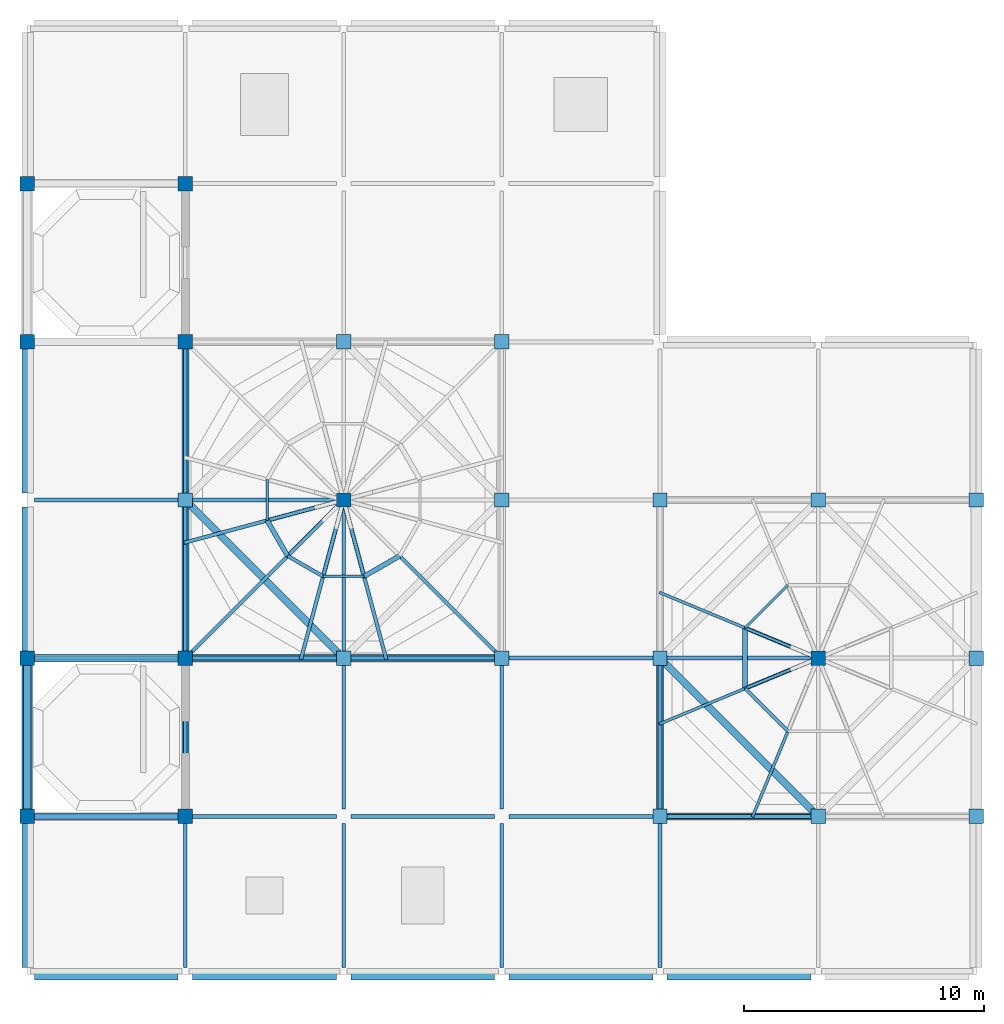
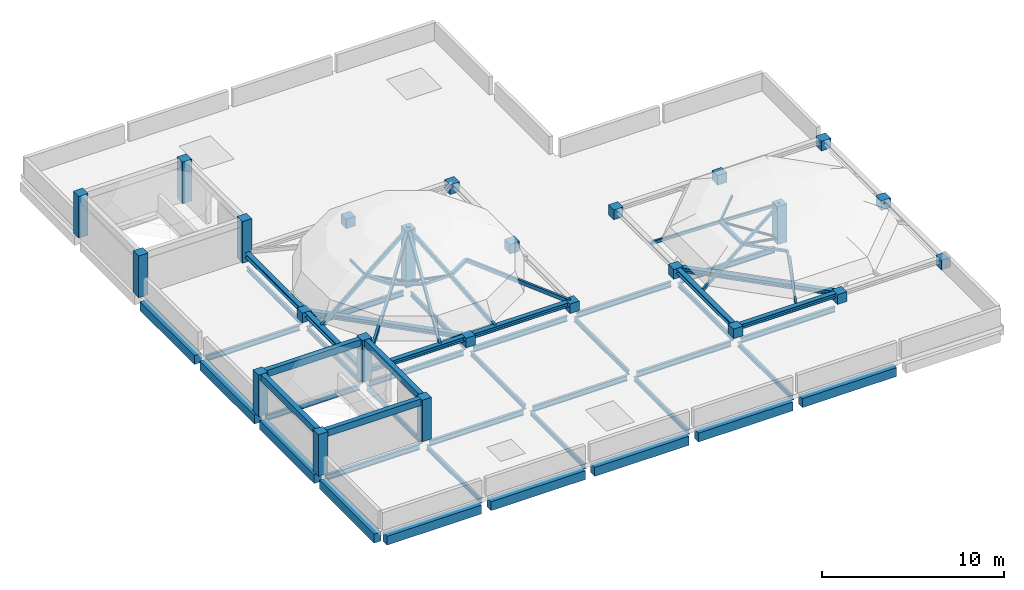
# One storey, part 1 of 5: 44 beams, 28 members, 24 columns.
"""IFC4 building model written with IfcOpenShell, lengths in metres."""

from ifc_helpers import new_model, si_unit, direction, frame, origin, origin_2d, place, context, subcontext, project, spatial, rectangle, hollow_rectangle, hollow_circle, i_section, extrude, material, material_profile, profile_set, type_object, element, save


model = new_model("IFC4")

# Units and contexts
model_context = context("Model", 3, precision=1e-05, world=origin(), true_north=direction((0.0, 1.0)))
body_context = subcontext(model_context, "Body", "Model", "MODEL_VIEW")
ifc_project = project(units=[si_unit("LENGTHUNIT", "METRE"), si_unit("AREAUNIT", "SQUARE_METRE"), si_unit("VOLUMEUNIT", "CUBIC_METRE"), si_unit("PLANEANGLEUNIT", "RADIAN"), si_unit("MASSUNIT", "GRAM", prefix="KILO")], contexts=[model_context])

# Site, building, storey
site_placement = place(None, origin())
site = spatial("IfcSite", under=ifc_project, at=site_placement, CompositionType="ELEMENT")
building_placement = place(site_placement, origin())
building = spatial("IfcBuilding", under=site, at=building_placement, Name="Rusizi Kubbe Research Institute", CompositionType="ELEMENT")
storey_placement = place(building_placement, frame((0.0, 0.0, 73.199951171875)))
storey = spatial("IfcBuildingStorey", under=building, at=storey_placement, Name="ROOF", CompositionType="ELEMENT", Elevation=73.199951171875)

# Columns
ifc_material_1 = material(Name="Concrete C40/50", Category="concrete")
ifc_material_profile_1 = material_profile(ifc_material_1, rectangle(XDim=0.60009765625, YDim=0.60009765625, at=origin_2d()), Name="RC600x600")
ifc_profile_set_1 = profile_set([ifc_material_profile_1], Name="Concrete C40/50")
column_type = type_object("IfcColumnType", Name="COL-600", PredefinedType="COLUMN", material=ifc_profile_set_1)
for number, where, z_axis, x_axis, name in (
    (1, (0.0, 6.60009765625, 0.0), (0.0, 0.0, 1.0), (1.0, 0.0, 0.0), "Roof Stair Headhouse Column 1B"),
    (2, (6.60009765625, 6.60009765625, 0.0), (0.0, 0.0, 1.0), (1.0, 0.0, 0.0), "Roof Stair Headhouse Column 2B"),
    (3, (6.60009765625, 13.199951171875, 0.0), (0.0, 0.0, 1.0), (1.0, 0.0, 0.0), "Roof Stair Headhouse Column 2C"),
    (4, (0.0, 13.199951171875, 0.0), (0.0, 0.0, 1.0), (1.0, 0.0, 0.0), "Roof Stair Headhouse Column 1C"),
    (5, (0.0, 26.39990234375, 0.0), (0.0, 0.0, 1.0), (1.0, 0.0, 0.0), "Roof Stair Headhouse Column 1E"),
    (6, (6.60009765625, 26.39990234375, 0.0), (0.0, 0.0, 1.0), (1.0, 0.0, 0.0), "Roof Stair Headhouse Column 2E"),
    (7, (6.60009765625, 33.0, 0.0), (0.0, 0.0, 1.0), (1.0, 0.0, 0.0), "Roof Stair Headhouse Column 2F"),
    (8, (0.0, 33.0, 0.0), (0.0, 0.0, 1.0), (1.0, 0.0, 0.0), "Roof Stair Headhouse Column 1F"),
):
    element("IfcColumn", number, at=place(storey_placement, frame(where, z_axis=z_axis, x_axis=x_axis)), inside=storey, type_object=column_type, Name=name, PredefinedType="COLUMN", context=body_context, shape_type="SweptSolid", body=[
        extrude(rectangle(XDim=0.60009765625, YDim=0.60009765625, at=origin_2d()), origin(), (0.0, 0.0, 1.0), 2.800048828125),
    ])
for number, where, z_axis, x_axis, name in (
    (9, (13.199951171875, 13.199951171875, 0.0), (0.0, 0.0, 1.0), (1.0, 0.0, 0.0), "Kubbe Drum Pedestal Column DOME-CRN1-02"),
    (10, (19.800048828125, 13.199951171875, 0.0), (0.0, 0.0, 1.0), (1.0, 0.0, 0.0), "Kubbe Drum Pedestal Column DOME-CRN1-03"),
    (11, (19.800048828125, 19.800048828125, 0.0), (0.0, 0.0, 1.0), (1.0, 0.0, 0.0), "Kubbe Drum Pedestal Column DOME-CRN1-04"),
    (12, (19.800048828125, 26.39990234375, 0.0), (0.0, 0.0, 1.0), (1.0, 0.0, 0.0), "Kubbe Drum Pedestal Column DOME-CRN1-05"),
    (13, (13.199951171875, 26.39990234375, 0.0), (0.0, 0.0, 1.0), (1.0, 0.0, 0.0), "Kubbe Drum Pedestal Column DOME-CRN1-06"),
    (14, (6.60009765625, 19.800048828125, 0.0), (0.0, 0.0, 1.0), (1.0, 0.0, 0.0), "Kubbe Drum Pedestal Column DOME-CRN1-08"),
):
    element("IfcColumn", number, at=place(storey_placement, frame(where, z_axis=z_axis, x_axis=x_axis)), inside=storey, type_object=column_type, Name=name, PredefinedType="COLUMN", context=body_context, shape_type="SweptSolid", body=[
        extrude(rectangle(XDim=0.60009765625, YDim=0.60009765625, at=origin_2d()), origin(), (0.0, 0.0, 1.0), 0.650146484375),
    ])
column_1_placement = place(storey_placement, frame((13.199951171875, 19.800048828125, 0.0), z_axis=(0.0, 0.0, 1.0), x_axis=(1.0, 0.0, 0.0)))
element("IfcColumn", 15, at=column_1_placement, inside=storey, type_object=column_type, Name="Kubbe Central King-Post DOME-CRN1", PredefinedType="COLUMN", context=body_context, shape_type="SweptSolid", body=[
    extrude(rectangle(XDim=0.60009765625, YDim=0.60009765625, at=origin_2d()), origin(), (0.0, 0.0, 1.0), 3.860107421875),
])
for number, where, z_axis, x_axis, name in (
    (16, (26.39990234375, 6.60009765625, 0.0), (0.0, 0.0, 1.0), (1.0, 0.0, 0.0), "Kubbe Drum Pedestal Column DOME-CRN2-01"),
    (17, (33.0, 6.60009765625, 0.0), (0.0, 0.0, 1.0), (1.0, 0.0, 0.0), "Kubbe Drum Pedestal Column DOME-CRN2-02"),
    (18, (39.60009765625, 6.60009765625, 0.0), (0.0, 0.0, 1.0), (1.0, 0.0, 0.0), "Kubbe Drum Pedestal Column DOME-CRN2-03"),
    (19, (39.60009765625, 13.199951171875, 0.0), (0.0, 0.0, 1.0), (1.0, 0.0, 0.0), "Kubbe Drum Pedestal Column DOME-CRN2-04"),
    (20, (39.60009765625, 19.800048828125, 0.0), (0.0, 0.0, 1.0), (1.0, 0.0, 0.0), "Kubbe Drum Pedestal Column DOME-CRN2-05"),
    (21, (33.0, 19.800048828125, 0.0), (0.0, 0.0, 1.0), (1.0, 0.0, 0.0), "Kubbe Drum Pedestal Column DOME-CRN2-06"),
    (22, (26.39990234375, 19.800048828125, 0.0), (0.0, 0.0, 1.0), (1.0, 0.0, 0.0), "Kubbe Drum Pedestal Column DOME-CRN2-07"),
    (23, (26.39990234375, 13.199951171875, 0.0), (0.0, 0.0, 1.0), (1.0, 0.0, 0.0), "Kubbe Drum Pedestal Column DOME-CRN2-08"),
):
    element("IfcColumn", number, at=place(storey_placement, frame(where, z_axis=z_axis, x_axis=x_axis)), inside=storey, type_object=column_type, Name=name, PredefinedType="COLUMN", context=body_context, shape_type="SweptSolid", body=[
        extrude(rectangle(XDim=0.60009765625, YDim=0.60009765625, at=origin_2d()), origin(), (0.0, 0.0, 1.0), 0.650146484375),
    ])
column_2_placement = place(storey_placement, frame((33.0, 13.199951171875, 0.0), z_axis=(0.0, 0.0, 1.0), x_axis=(1.0, 0.0, 0.0)))
element("IfcColumn", 24, at=column_2_placement, inside=storey, type_object=column_type, Name="Kubbe Central King-Post DOME-CRN2", PredefinedType="COLUMN", context=body_context, shape_type="SweptSolid", body=[
    extrude(rectangle(XDim=0.60009765625, YDim=0.60009765625, at=origin_2d()), origin(), (0.0, 0.0, 1.0), 2.56005859375),
])

# Beams
ifc_material_2 = material(Name="Steel S355", Category="steel")
ifc_material_profile_2 = material_profile(ifc_material_2, i_section(OverallWidth=0.300048828125, OverallDepth=0.300048828125, WebThickness=0.010986328125, FlangeThickness=0.01904296875, at=origin_2d()), Name="HEB 300")
ifc_profile_set_2 = profile_set([ifc_material_profile_2], Name="Steel S355")
beam_type_1 = type_object("IfcBeamType", Name="BM-HEB300", PredefinedType="BEAM", material=ifc_profile_set_2)
beam_1_placement = place(storey_placement, frame((6.60009765625, 13.199951171875, 0.5), z_axis=(1.0, 0.0, 0.0), x_axis=(0.0, 1.0, 0.0)))
element("IfcBeam", 25, at=beam_1_placement, inside=storey, type_object=beam_type_1, Name="Kubbe Dome Ring Beam DOME-CRN1 S1", PredefinedType="BEAM", context=body_context, shape_type="SweptSolid", body=[
    extrude(i_section(OverallWidth=0.300048828125, OverallDepth=0.300048828125, WebThickness=0.010986328125, FlangeThickness=0.01904296875, at=origin_2d()), origin(), (0.0, 0.0, 1.0), 6.599853515625),
])
for number, where, z_axis, x_axis, name in (
    (26, (13.199951171875, 13.199951171875, 0.5), (1.0, 0.0, 0.0), (0.0, 1.0, 0.0), "Kubbe Dome Ring Beam DOME-CRN1 S2"),
    (27, (6.60009765625, 13.199951171875, 0.5), (0.0, 1.0, 0.0), (-1.0, 0.0, 0.0), "Kubbe Dome Ring Beam DOME-CRN1 W1"),
):
    element("IfcBeam", number, at=place(storey_placement, frame(where, z_axis=z_axis, x_axis=x_axis)), inside=storey, type_object=beam_type_1, Name=name, PredefinedType="BEAM", context=body_context, shape_type="SweptSolid", body=[
        extrude(i_section(OverallWidth=0.300048828125, OverallDepth=0.300048828125, WebThickness=0.010986328125, FlangeThickness=0.01904296875, at=origin_2d()), origin(), (0.0, 0.0, 1.0), 6.60009765625),
    ])
beam_2_placement = place(storey_placement, frame((6.60009765625, 19.800048828125, 0.5), z_axis=(0.0, 1.0, 0.0), x_axis=(-1.0, 0.0, 0.0)))
element("IfcBeam", 28, at=beam_2_placement, inside=storey, type_object=beam_type_1, Name="Kubbe Dome Ring Beam DOME-CRN1 W2", PredefinedType="BEAM", context=body_context, shape_type="SweptSolid", body=[
    extrude(i_section(OverallWidth=0.300048828125, OverallDepth=0.300048828125, WebThickness=0.010986328125, FlangeThickness=0.01904296875, at=origin_2d()), origin(), (0.0, 0.0, 1.0), 6.599853515625),
])
beam_3_placement = place(storey_placement, frame((6.60009765625, 19.800048828125, 0.5), z_axis=(0.707093702722, -0.707119859409, 0.0), x_axis=(0.707119859409, 0.707093702722, 0.0)))
element("IfcBeam", 29, at=beam_3_placement, inside=storey, type_object=beam_type_1, Name="Kubbe Dome Ring Beam DOME-CRN1 PSW", PredefinedType="BEAM", context=body_context, shape_type="SweptSolid", body=[
    extrude(i_section(OverallWidth=0.300048828125, OverallDepth=0.300048828125, WebThickness=0.010986328125, FlangeThickness=0.01904296875, at=origin_2d()), origin(), (0.0, 0.0, 1.0), 9.333740234375),
])
beam_4_placement = place(storey_placement, frame((26.39990234375, 6.60009765625, 0.5), z_axis=(1.0, 0.0, 0.0), x_axis=(0.0, 1.0, 0.0)))
element("IfcBeam", 30, at=beam_4_placement, inside=storey, type_object=beam_type_1, Name="Kubbe Dome Ring Beam DOME-CRN2 S1", PredefinedType="BEAM", context=body_context, shape_type="SweptSolid", body=[
    extrude(i_section(OverallWidth=0.300048828125, OverallDepth=0.300048828125, WebThickness=0.010986328125, FlangeThickness=0.01904296875, at=origin_2d()), origin(), (0.0, 0.0, 1.0), 6.60009765625),
])
beam_5_placement = place(storey_placement, frame((26.39990234375, 6.60009765625, 0.5), z_axis=(0.0, 1.0, 0.0), x_axis=(-1.0, 0.0, 0.0)))
element("IfcBeam", 31, at=beam_5_placement, inside=storey, type_object=beam_type_1, Name="Kubbe Dome Ring Beam DOME-CRN2 W1", PredefinedType="BEAM", context=body_context, shape_type="SweptSolid", body=[
    extrude(i_section(OverallWidth=0.300048828125, OverallDepth=0.300048828125, WebThickness=0.010986328125, FlangeThickness=0.01904296875, at=origin_2d()), origin(), (0.0, 0.0, 1.0), 6.599853515625),
])
beam_6_placement = place(storey_placement, frame((26.39990234375, 13.199951171875, 0.5), z_axis=(0.707119859409, -0.707093702722, 0.0), x_axis=(0.707093702722, 0.707119859409, 0.0)))
element("IfcBeam", 32, at=beam_6_placement, inside=storey, type_object=beam_type_1, Name="Kubbe Dome Ring Beam DOME-CRN2 PSW", PredefinedType="BEAM", context=body_context, shape_type="SweptSolid", body=[
    extrude(i_section(OverallWidth=0.300048828125, OverallDepth=0.300048828125, WebThickness=0.010986328125, FlangeThickness=0.01904296875, at=origin_2d()), origin(), (0.0, 0.0, 1.0), 9.333740234375),
])
ifc_material_3 = material(Name="Steel S355", Category="steel")
ifc_material_profile_3 = material_profile(ifc_material_3, i_section(OverallWidth=0.14990234375, OverallDepth=0.300048828125, WebThickness=0.007080078125, FlangeThickness=0.0107421875, at=origin_2d()), Name="IPE 300")
ifc_profile_set_3 = profile_set([ifc_material_profile_3], Name="Steel S355")
beam_type_2 = type_object("IfcBeamType", Name="BM-IPE300", PredefinedType="BEAM", material=ifc_profile_set_3)
for number, where, z_axis, x_axis, name in (
    (33, (6.60009765625, 0.300048828125, -0.429931640625), (0.0, 1.0, 0.0), (-1.0, 0.0, 0.0), "Grid Beam V ROOF (1,0)"),
    (34, (6.60009765625, 6.89990234375, -0.429931640625), (0.0, 1.0, 0.0), (-1.0, 0.0, 0.0), "Grid Beam V ROOF (1,1)"),
    (35, (6.60009765625, 13.5, -0.429931640625), (0.0, 1.0, 0.0), (-1.0, 0.0, 0.0), "Grid Beam V ROOF (1,2)"),
    (36, (6.60009765625, 20.10009765625, -0.429931640625), (0.0, 1.0, 0.0), (-1.0, 0.0, 0.0), "Grid Beam V ROOF (1,3)"),
    (37, (13.199951171875, 0.300048828125, -0.429931640625), (0.0, 1.0, 0.0), (-1.0, 0.0, 0.0), "Grid Beam V ROOF (2,0)"),
    (38, (13.199951171875, 6.89990234375, -0.429931640625), (0.0, 1.0, 0.0), (-1.0, 0.0, 0.0), "Grid Beam V ROOF (2,1)"),
    (39, (13.199951171875, 13.5, -0.429931640625), (0.0, 1.0, 0.0), (-1.0, 0.0, 0.0), "Grid Beam V ROOF (2,2)"),
    (40, (19.800048828125, 0.300048828125, -0.429931640625), (0.0, 1.0, 0.0), (-1.0, 0.0, 0.0), "Grid Beam V ROOF (3,0)"),
    (41, (19.800048828125, 6.89990234375, -0.429931640625), (0.0, 1.0, 0.0), (-1.0, 0.0, 0.0), "Grid Beam V ROOF (3,1)"),
    (42, (26.39990234375, 0.300048828125, -0.429931640625), (0.0, 1.0, 0.0), (-1.0, 0.0, 0.0), "Grid Beam V ROOF (4,0)"),
    (43, (26.39990234375, 6.89990234375, -0.429931640625), (0.0, 1.0, 0.0), (-1.0, 0.0, 0.0), "Grid Beam V ROOF (4,1)"),
):
    element("IfcBeam", number, at=place(storey_placement, frame(where, z_axis=z_axis, x_axis=x_axis)), inside=storey, type_object=beam_type_2, Name=name, PredefinedType="BEAM", context=body_context, shape_type="SweptSolid", body=[
        extrude(i_section(OverallWidth=0.14990234375, OverallDepth=0.300048828125, WebThickness=0.007080078125, FlangeThickness=0.0107421875, at=origin_2d()), origin(), (0.0, 0.0, 1.0), 6.0),
    ])
ifc_material_4 = material(Name="Steel S355", Category="steel")
ifc_material_profile_4 = material_profile(ifc_material_4, i_section(OverallWidth=0.169921875, OverallDepth=0.360107421875, WebThickness=0.008056640625, FlangeThickness=0.0126953125, at=origin_2d()), Name="IPE 360")
ifc_profile_set_4 = profile_set([ifc_material_profile_4], Name="Steel S355")
beam_type_3 = type_object("IfcBeamType", Name="BM-IPE360", PredefinedType="BEAM", material=ifc_profile_set_4)
for number, where, z_axis, x_axis, name in (
    (44, (0.300048828125, 6.60009765625, -0.4599609375), (1.0, 0.0, 0.0), (0.0, 1.0, 0.0), "Grid Beam H ROOF (0,1)"),
    (45, (0.300048828125, 13.199951171875, -0.4599609375), (1.0, 0.0, 0.0), (0.0, 1.0, 0.0), "Grid Beam H ROOF (0,2)"),
    (46, (0.300048828125, 19.800048828125, -0.4599609375), (1.0, 0.0, 0.0), (0.0, 1.0, 0.0), "Grid Beam H ROOF (0,3)"),
    (47, (6.89990234375, 6.60009765625, -0.4599609375), (1.0, 0.0, 0.0), (0.0, 1.0, 0.0), "Grid Beam H ROOF (1,1)"),
    (48, (6.89990234375, 13.199951171875, -0.4599609375), (1.0, 0.0, 0.0), (0.0, 1.0, 0.0), "Grid Beam H ROOF (1,2)"),
    (49, (6.89990234375, 19.800048828125, -0.4599609375), (1.0, 0.0, 0.0), (0.0, 1.0, 0.0), "Grid Beam H ROOF (1,3)"),
    (50, (13.5, 6.60009765625, -0.4599609375), (1.0, 0.0, 0.0), (0.0, 1.0, 0.0), "Grid Beam H ROOF (2,1)"),
    (51, (13.5, 13.199951171875, -0.4599609375), (1.0, 0.0, 0.0), (0.0, 1.0, 0.0), "Grid Beam H ROOF (2,2)"),
    (52, (20.10009765625, 6.60009765625, -0.4599609375), (1.0, 0.0, 0.0), (0.0, 1.0, 0.0), "Grid Beam H ROOF (3,1)"),
    (53, (20.10009765625, 13.199951171875, -0.4599609375), (1.0, 0.0, 0.0), (0.0, 1.0, 0.0), "Grid Beam H ROOF (3,2)"),
    (54, (26.699951171875, 6.60009765625, -0.4599609375), (1.0, 0.0, 0.0), (0.0, 1.0, 0.0), "Grid Beam H ROOF (4,1)"),
    (55, (26.699951171875, 13.199951171875, -0.4599609375), (1.0, 0.0, 0.0), (0.0, 1.0, 0.0), "Grid Beam H ROOF (4,2)"),
):
    element("IfcBeam", number, at=place(storey_placement, frame(where, z_axis=z_axis, x_axis=x_axis)), inside=storey, type_object=beam_type_3, Name=name, PredefinedType="BEAM", context=body_context, shape_type="SweptSolid", body=[
        extrude(i_section(OverallWidth=0.169921875, OverallDepth=0.360107421875, WebThickness=0.008056640625, FlangeThickness=0.0126953125, at=origin_2d()), origin(), (0.0, 0.0, 1.0), 6.0),
    ])
ifc_material_5 = material(Name="Concrete C40/50", Category="concrete")
ifc_material_profile_5 = material_profile(ifc_material_5, rectangle(XDim=0.300048828125, YDim=0.449951171875, at=origin_2d()), Name="RC300x450")
ifc_profile_set_5 = profile_set([ifc_material_profile_5], Name="Concrete C40/50")
beam_type_4 = type_object("IfcBeamType", Name="BM-RC300x450", PredefinedType="LINTEL", material=ifc_profile_set_5)
for number, where, z_axis, x_axis, name in (
    (56, (0.300048828125, 6.60009765625, 2.574951171875), (1.0, 0.0, 0.0), (0.0, 1.0, 0.0), "Roof Stair Headhouse Beam ST1 South"),
    (57, (0.300048828125, 13.199951171875, 2.574951171875), (1.0, 0.0, 0.0), (0.0, 1.0, 0.0), "Roof Stair Headhouse Beam ST1 North"),
    (58, (0.0, 6.89990234375, 2.574951171875), (0.0, 1.0, 0.0), (-1.0, 0.0, 0.0), "Roof Stair Headhouse Beam ST1 West"),
    (59, (6.60009765625, 6.89990234375, 2.574951171875), (0.0, 1.0, 0.0), (-1.0, 0.0, 0.0), "Roof Stair Headhouse Beam ST1 East"),
):
    element("IfcBeam", number, at=place(storey_placement, frame(where, z_axis=z_axis, x_axis=x_axis)), inside=storey, type_object=beam_type_4, Name=name, PredefinedType="LINTEL", context=body_context, shape_type="SweptSolid", body=[
        extrude(rectangle(XDim=0.300048828125, YDim=0.449951171875, at=origin_2d()), origin(), (0.0, 0.0, 1.0), 6.0),
    ])
ifc_material_6 = material(Name="Concrete C40/50", Category="concrete")
ifc_material_profile_6 = material_profile(ifc_material_6, rectangle(XDim=0.449951171875, YDim=0.60009765625, at=origin_2d()), Name="RC450x600")
ifc_profile_set_6 = profile_set([ifc_material_profile_6], Name="Concrete C40/50")
beam_type_5 = type_object("IfcBeamType", Name="BM-RC450x600", PredefinedType="SPANDREL", material=ifc_profile_set_6)
for number, where, z_axis, x_axis, name in (
    (60, (0.300048828125, 0.0, -0.579833984375), (1.0, 0.0, 0.0), (0.0, 1.0, 0.0), "Grid Beam H ROOF (0,0)"),
    (61, (6.89990234375, 0.0, -0.579833984375), (1.0, 0.0, 0.0), (0.0, 1.0, 0.0), "Grid Beam H ROOF (1,0)"),
    (62, (13.5, 0.0, -0.579833984375), (1.0, 0.0, 0.0), (0.0, 1.0, 0.0), "Grid Beam H ROOF (2,0)"),
    (63, (20.10009765625, 0.0, -0.579833984375), (1.0, 0.0, 0.0), (0.0, 1.0, 0.0), "Grid Beam H ROOF (3,0)"),
    (64, (26.699951171875, 0.0, -0.579833984375), (1.0, 0.0, 0.0), (0.0, 1.0, 0.0), "Grid Beam H ROOF (4,0)"),
    (65, (0.0, 0.300048828125, -0.579833984375), (0.0, 1.0, 0.0), (-1.0, 0.0, 0.0), "Grid Beam V ROOF (0,0)"),
    (66, (0.0, 6.89990234375, -0.579833984375), (0.0, 1.0, 0.0), (-1.0, 0.0, 0.0), "Grid Beam V ROOF (0,1)"),
    (67, (0.0, 13.5, -0.579833984375), (0.0, 1.0, 0.0), (-1.0, 0.0, 0.0), "Grid Beam V ROOF (0,2)"),
    (68, (0.0, 20.10009765625, -0.579833984375), (0.0, 1.0, 0.0), (-1.0, 0.0, 0.0), "Grid Beam V ROOF (0,3)"),
):
    element("IfcBeam", number, at=place(storey_placement, frame(where, z_axis=z_axis, x_axis=x_axis)), inside=storey, type_object=beam_type_5, Name=name, PredefinedType="SPANDREL", context=body_context, shape_type="SweptSolid", body=[
        extrude(rectangle(XDim=0.449951171875, YDim=0.60009765625, at=origin_2d()), origin(), (0.0, 0.0, 1.0), 6.0),
    ])

# Members
ifc_material_7 = material(Name="Steel S355", Category="steel")
ifc_material_profile_7 = material_profile(ifc_material_7, hollow_circle(Radius=0.084228515625, WallThickness=0.00634765625, at=origin_2d()), Name="CHS 168.3x6.3")
ifc_profile_set_7 = profile_set([ifc_material_profile_7], Name="Steel S355")
member_type_1 = type_object("IfcMemberType", Name="MB-CHS168", PredefinedType="STRUT", material=ifc_profile_set_7)
for number, where, z_axis, x_axis, name in (
    (69, (13.199951171875, 19.800048828125, 0.199951171875), (-0.821024479958, -0.22003405755, 0.526786310402), (0.258864280884, -0.965913704263, 0.0), "Kubbe Radial King-Post Strut DOME-CRN1-7"),
    (70, (13.199951171875, 19.800048828125, 0.199951171875), (-0.601043097676, -0.601043097676, 0.526777362338), (0.707106781187, -0.707106781187, 0.0), "Kubbe Radial King-Post Strut DOME-CRN1-8"),
    (71, (13.199951171875, 19.800048828125, 0.199951171875), (-0.219974216036, -0.821035838928, 0.526793598552), (0.965932200741, -0.258795254151, 0.0), "Kubbe Radial King-Post Strut DOME-CRN1-9"),
    (72, (13.199951171875, 19.800048828125, 0.199951171875), (0.22003405755, -0.821024479958, 0.526786310402), (0.965913704263, 0.258864280884, 0.0), "Kubbe Radial King-Post Strut DOME-CRN1-10"),
):
    element("IfcMember", number, at=place(storey_placement, frame(where, z_axis=z_axis, x_axis=x_axis)), inside=storey, type_object=member_type_1, Name=name, PredefinedType="STRUT", context=body_context, shape_type="SweptSolid", body=[
        extrude(hollow_circle(Radius=0.084228515625, WallThickness=0.00634765625, at=origin_2d()), origin(), (0.0, 0.0, 1.0), 3.88232421875),
    ])
for number, where, z_axis, x_axis, name in (
    (73, (33.0, 13.199951171875, 0.199951171875), (-0.850962654289, 0.352500785605, 0.389365839735), (-0.382702441477, -0.92387165845, 0.0), "Kubbe Radial King-Post Strut DOME-CRN2-4"),
    (74, (33.0, 13.199951171875, 0.199951171875), (-0.850983093394, -0.352441108187, 0.389375191836), (0.382639293348, -0.923897814256, 0.0), "Kubbe Radial King-Post Strut DOME-CRN2-5"),
):
    element("IfcMember", number, at=place(storey_placement, frame(where, z_axis=z_axis, x_axis=x_axis)), inside=storey, type_object=member_type_1, Name=name, PredefinedType="STRUT", context=body_context, shape_type="SweptSolid", body=[
        extrude(hollow_circle(Radius=0.084228515625, WallThickness=0.00634765625, at=origin_2d()), origin(), (0.0, 0.0, 1.0), 3.582763671875),
    ])
ifc_material_8 = material(Name="Steel S355", Category="steel")
ifc_material_profile_8 = material_profile(ifc_material_8, hollow_rectangle(XDim=0.10009765625, YDim=0.179931640625, WallThickness=0.008056640625, at=origin_2d()), Name="RHS 180x100x8.0")
ifc_profile_set_8 = profile_set([ifc_material_profile_8], Name="Steel S355")
member_type_2 = type_object("IfcMemberType", Name="MB-RHS180", PredefinedType="PURLIN", material=ifc_profile_set_8)
for number, where, z_axis, x_axis, name in (
    (75, (10.012451171875, 20.654052734375, 2.2451171875), (0.0, -1.0, 0.0), (1.0, 0.0, 0.0), "Kubbe Vault Hoop Purlin Mid DOME-CRN1-6"),
    (76, (12.345947265625, 16.612548828125, 2.2451171875), (1.0, 0.0, 0.0), (0.0, 1.0, 0.0), "Kubbe Vault Hoop Purlin Mid DOME-CRN1-9"),
):
    element("IfcMember", number, at=place(storey_placement, frame(where, z_axis=z_axis, x_axis=x_axis)), inside=storey, type_object=member_type_2, Name=name, PredefinedType="PURLIN", context=body_context, shape_type="SweptSolid", body=[
        extrude(hollow_rectangle(XDim=0.10009765625, YDim=0.179931640625, WallThickness=0.008056640625, at=origin_2d()), origin(), (0.0, 0.0, 1.0), 1.708251953125),
    ])
member_1_placement = place(storey_placement, frame((31.737060546875, 16.248779296875, 1.594970703125), z_axis=(-0.707106781187, -0.707106781187, 0.0), x_axis=(0.707106781187, -0.707106781187, 0.0)))
element("IfcMember", 77, at=member_1_placement, inside=storey, type_object=member_type_2, Name="Kubbe Vault Hoop Purlin Mid DOME-CRN2-3", PredefinedType="PURLIN", context=body_context, shape_type="SweptSolid", body=[
    extrude(hollow_rectangle(XDim=0.10009765625, YDim=0.179931640625, WallThickness=0.008056640625, at=origin_2d()), origin(), (0.0, 0.0, 1.0), 2.525634765625),
])
ifc_material_9 = material(Name="Steel S355", Category="steel")
ifc_material_profile_9 = material_profile(ifc_material_9, hollow_rectangle(XDim=0.1201171875, YDim=0.199951171875, WallThickness=0.008056640625, at=origin_2d()), Name="RHS 200x120x8.0")
ifc_profile_set_9 = profile_set([ifc_material_profile_9], Name="Steel S355")
member_type_3 = type_object("IfcMemberType", Name="MB-RHS200", PredefinedType="RAFTER", material=ifc_profile_set_9)
member_2_placement = place(storey_placement, frame((26.39990234375, 15.933837890625, 0.5), z_axis=(0.888535109742, -0.36803410121, 0.273963974096), x_axis=(0.38267527446, 0.923882911584, 0.0)))
element("IfcMember", 78, at=member_2_placement, inside=storey, type_object=member_type_3, Name="Kubbe Arch Rib Lower DOME-CRN2-4", PredefinedType="RAFTER", context=body_context, shape_type="SweptSolid", body=[
    extrude(hollow_rectangle(XDim=0.1201171875, YDim=0.199951171875, WallThickness=0.008056640625, at=origin_2d()), origin(), (0.0, 0.0, 1.0), 3.996826171875),
])
member_3_placement = place(storey_placement, frame((29.951171875, 14.462890625, 1.594970703125), z_axis=(0.892339932443, -0.369640812823, 0.259027246565), x_axis=(0.382702441477, 0.92387165845, 0.0)))
element("IfcMember", 79, at=member_3_placement, inside=storey, type_object=member_type_3, Name="Kubbe Arch Rib Upper DOME-CRN2-4", PredefinedType="RAFTER", context=body_context, shape_type="SweptSolid", body=[
    extrude(hollow_rectangle(XDim=0.1201171875, YDim=0.199951171875, WallThickness=0.008056640625, at=origin_2d()), origin(), (0.0, 0.0, 1.0), 3.416748046875),
])
member_4_placement = place(storey_placement, frame((26.39990234375, 10.46630859375, 0.5), z_axis=(0.888535109742, 0.36803410121, 0.273963974096), x_axis=(-0.38267527446, 0.923882911584, 0.0)))
element("IfcMember", 80, at=member_4_placement, inside=storey, type_object=member_type_3, Name="Kubbe Arch Rib Lower DOME-CRN2-5", PredefinedType="RAFTER", context=body_context, shape_type="SweptSolid", body=[
    extrude(hollow_rectangle(XDim=0.1201171875, YDim=0.199951171875, WallThickness=0.008056640625, at=origin_2d()), origin(), (0.0, 0.0, 1.0), 3.996826171875),
])
member_5_placement = place(storey_placement, frame((29.951171875, 11.937255859375, 1.594970703125), z_axis=(0.892363500453, 0.369579117901, 0.259034087856), x_axis=(-0.382639293348, 0.923897814256, 0.0)))
element("IfcMember", 81, at=member_5_placement, inside=storey, type_object=member_type_3, Name="Kubbe Arch Rib Upper DOME-CRN2-5", PredefinedType="RAFTER", context=body_context, shape_type="SweptSolid", body=[
    extrude(hollow_rectangle(XDim=0.1201171875, YDim=0.199951171875, WallThickness=0.008056640625, at=origin_2d()), origin(), (0.0, 0.0, 1.0), 3.41650390625),
])
member_6_placement = place(storey_placement, frame((30.26611328125, 6.60009765625, 0.5), z_axis=(0.368054077466, 0.888522250081, 0.273978844387), x_axis=(-0.923873609669, 0.382697731059, 0.0)))
element("IfcMember", 82, at=member_6_placement, inside=storey, type_object=member_type_3, Name="Kubbe Arch Rib Lower DOME-CRN2-6", PredefinedType="RAFTER", context=body_context, shape_type="SweptSolid", body=[
    extrude(hollow_rectangle(XDim=0.1201171875, YDim=0.199951171875, WallThickness=0.008056640625, at=origin_2d()), origin(), (0.0, 0.0, 1.0), 3.99658203125),
])
ifc_material_10 = material(Name="Steel S355", Category="steel")
ifc_material_profile_10 = material_profile(ifc_material_10, hollow_rectangle(XDim=0.14990234375, YDim=0.25, WallThickness=0.010009765625, at=origin_2d()), Name="RHS 250x150x10.0")
ifc_profile_set_10 = profile_set([ifc_material_profile_10], Name="Steel S355")
member_type_4 = type_object("IfcMemberType", Name="MB-RHS250", PredefinedType="RAFTER", material=ifc_profile_set_10)
member_7_placement = place(storey_placement, frame((6.60009765625, 18.031494140625, 0.5), z_axis=(0.866025260819, 0.232042970721, 0.442895368415), x_axis=(-0.258810929597, 0.965928000796, 0.0)))
element("IfcMember", 83, at=member_7_placement, inside=storey, type_object=member_type_4, Name="Kubbe Arch Rib Lower DOME-CRN1-7", PredefinedType="RAFTER", context=body_context, shape_type="SweptSolid", body=[
    extrude(hollow_rectangle(XDim=0.14990234375, YDim=0.25, WallThickness=0.010009765625, at=origin_2d()), origin(), (0.0, 0.0, 1.0), 3.940185546875),
])
member_8_placement = place(storey_placement, frame((10.012451171875, 18.94580078125, 2.2451171875), z_axis=(0.875810722865, 0.234716737079, 0.421738818524), x_axis=(-0.258864280884, 0.965913704263, 0.0)))
element("IfcMember", 84, at=member_8_placement, inside=storey, type_object=member_type_4, Name="Kubbe Arch Rib Upper DOME-CRN1-7", PredefinedType="RAFTER", context=body_context, shape_type="SweptSolid", body=[
    extrude(hollow_rectangle(XDim=0.14990234375, YDim=0.25, WallThickness=0.010009765625, at=origin_2d()), origin(), (0.0, 0.0, 1.0), 3.639404296875),
])
member_9_placement = place(storey_placement, frame((6.60009765625, 13.199951171875, 0.5), z_axis=(0.679246674512, 0.679285544135, 0.277840070352), x_axis=(-0.707127012272, 0.707086549522, 0.0)))
element("IfcMember", 85, at=member_9_placement, inside=storey, type_object=member_type_4, Name="Kubbe Arch Rib Lower DOME-CRN1-8", PredefinedType="RAFTER", context=body_context, shape_type="SweptSolid", body=[
    extrude(hollow_rectangle(XDim=0.14990234375, YDim=0.25, WallThickness=0.010009765625, at=origin_2d()), origin(), (0.0, 0.0, 1.0), 6.281005859375),
])
member_10_placement = place(storey_placement, frame((10.866455078125, 17.466552734375, 2.2451171875), z_axis=(0.641148674103, 0.641148674103, 0.421730666885), x_axis=(-0.707106781187, 0.707106781187, 0.0)))
element("IfcMember", 86, at=member_10_placement, inside=storey, type_object=member_type_4, Name="Kubbe Arch Rib Upper DOME-CRN1-8", PredefinedType="RAFTER", context=body_context, shape_type="SweptSolid", body=[
    extrude(hollow_rectangle(XDim=0.14990234375, YDim=0.25, WallThickness=0.010009765625, at=origin_2d()), origin(), (0.0, 0.0, 1.0), 3.6396484375),
])
member_11_placement = place(storey_placement, frame((11.431640625, 13.199951171875, 0.5), z_axis=(0.232030519953, 0.866040749772, 0.442871603904), x_axis=(-0.965932629426, 0.258793654114, 0.0)))
element("IfcMember", 87, at=member_11_placement, inside=storey, type_object=member_type_4, Name="Kubbe Arch Rib Lower DOME-CRN1-9", PredefinedType="RAFTER", context=body_context, shape_type="SweptSolid", body=[
    extrude(hollow_rectangle(XDim=0.14990234375, YDim=0.25, WallThickness=0.010009765625, at=origin_2d()), origin(), (0.0, 0.0, 1.0), 3.9404296875),
])
member_12_placement = place(storey_placement, frame((12.345947265625, 16.612548828125, 2.2451171875), z_axis=(0.234653350119, 0.875824510908, 0.421745458033), x_axis=(-0.965932200741, 0.258795254151, 0.0)))
element("IfcMember", 88, at=member_12_placement, inside=storey, type_object=member_type_4, Name="Kubbe Arch Rib Upper DOME-CRN1-9", PredefinedType="RAFTER", context=body_context, shape_type="SweptSolid", body=[
    extrude(hollow_rectangle(XDim=0.14990234375, YDim=0.25, WallThickness=0.010009765625, at=origin_2d()), origin(), (0.0, 0.0, 1.0), 3.639404296875),
])
member_13_placement = place(storey_placement, frame((14.968505859375, 13.199951171875, 0.5), z_axis=(-0.232030519953, 0.866040749772, 0.442871603904), x_axis=(-0.965932629426, -0.258793654114, 0.0)))
element("IfcMember", 89, at=member_13_placement, inside=storey, type_object=member_type_4, Name="Kubbe Arch Rib Lower DOME-CRN1-10", PredefinedType="RAFTER", context=body_context, shape_type="SweptSolid", body=[
    extrude(hollow_rectangle(XDim=0.14990234375, YDim=0.25, WallThickness=0.010009765625, at=origin_2d()), origin(), (0.0, 0.0, 1.0), 3.9404296875),
])
member_14_placement = place(storey_placement, frame((14.05419921875, 16.612548828125, 2.2451171875), z_axis=(-0.234716737079, 0.875810722865, 0.421738818524), x_axis=(-0.965913704263, -0.258864280884, 0.0)))
element("IfcMember", 90, at=member_14_placement, inside=storey, type_object=member_type_4, Name="Kubbe Arch Rib Upper DOME-CRN1-10", PredefinedType="RAFTER", context=body_context, shape_type="SweptSolid", body=[
    extrude(hollow_rectangle(XDim=0.14990234375, YDim=0.25, WallThickness=0.010009765625, at=origin_2d()), origin(), (0.0, 0.0, 1.0), 3.639404296875),
])
member_15_placement = place(storey_placement, frame((19.800048828125, 13.199951171875, 0.5), z_axis=(-0.679267609793, 0.679267609793, 0.277832734882), x_axis=(-0.707106781187, -0.707106781187, 0.0)))
element("IfcMember", 91, at=member_15_placement, inside=storey, type_object=member_type_4, Name="Kubbe Arch Rib Lower DOME-CRN1-11", PredefinedType="RAFTER", context=body_context, shape_type="SweptSolid", body=[
    extrude(hollow_rectangle(XDim=0.14990234375, YDim=0.25, WallThickness=0.010009765625, at=origin_2d()), origin(), (0.0, 0.0, 1.0), 6.28125),
])
ifc_material_11 = material(Name="Steel S355", Category="steel")
ifc_material_profile_11 = material_profile(ifc_material_11, hollow_rectangle(XDim=0.14990234375, YDim=0.14990234375, WallThickness=0.008056640625, at=origin_2d()), Name="SHS 150x150x8.0")
ifc_profile_set_11 = profile_set([ifc_material_profile_11], Name="Steel S355")
member_type_5 = type_object("IfcMemberType", Name="MB-SHS150", PredefinedType="PURLIN", material=ifc_profile_set_11)
member_16_placement = place(storey_placement, frame((10.866455078125, 17.466552734375, 2.2451171875), z_axis=(0.866071357471, -0.499920397431, 0.0), x_axis=(0.499920397431, 0.866071357471, 0.0)))
element("IfcMember", 92, at=member_16_placement, inside=storey, type_object=member_type_5, Name="Kubbe Vault Hoop Purlin Mid DOME-CRN1-8", PredefinedType="PURLIN", context=body_context, shape_type="SweptSolid", body=[
    extrude(hollow_rectangle(XDim=0.14990234375, YDim=0.14990234375, WallThickness=0.008056640625, at=origin_2d()), origin(), (0.0, 0.0, 1.0), 1.708251953125),
])
member_17_placement = place(storey_placement, frame((29.951171875, 11.937255859375, 1.594970703125), z_axis=(0.707058450181, -0.707155108889, 0.0), x_axis=(0.707155108889, 0.707058450181, 0.0)))
element("IfcMember", 93, at=member_17_placement, inside=storey, type_object=member_type_5, Name="Kubbe Vault Hoop Purlin Mid DOME-CRN2-5", PredefinedType="PURLIN", context=body_context, shape_type="SweptSolid", body=[
    extrude(hollow_rectangle(XDim=0.14990234375, YDim=0.14990234375, WallThickness=0.008056640625, at=origin_2d()), origin(), (0.0, 0.0, 1.0), 2.52587890625),
])
ifc_material_12 = material(Name="Steel S355", Category="steel")
ifc_material_profile_12 = material_profile(ifc_material_12, hollow_rectangle(XDim=0.199951171875, YDim=0.199951171875, WallThickness=0.010009765625, at=origin_2d()), Name="SHS 200x200x10.0")
ifc_profile_set_12 = profile_set([ifc_material_profile_12], Name="Steel S355")
member_type_6 = type_object("IfcMemberType", Name="MB-SHS200", PredefinedType="PURLIN", material=ifc_profile_set_12)
for number, where, z_axis, x_axis, name in (
    (94, (10.012451171875, 18.94580078125, 2.2451171875), (0.499982281718, -0.866035633198, 0.0), (0.866035633198, 0.499982281718, 0.0), "Kubbe Vault Hoop Purlin Mid DOME-CRN1-7"),
    (95, (14.05419921875, 16.612548828125, 2.2451171875), (0.866035633198, 0.499982281718, 0.0), (-0.499982281718, 0.866035633198, 0.0), "Kubbe Vault Hoop Purlin Mid DOME-CRN1-10"),
):
    element("IfcMember", number, at=place(storey_placement, frame(where, z_axis=z_axis, x_axis=x_axis)), inside=storey, type_object=member_type_6, Name=name, PredefinedType="PURLIN", context=body_context, shape_type="SweptSolid", body=[
        extrude(hollow_rectangle(XDim=0.199951171875, YDim=0.199951171875, WallThickness=0.010009765625, at=origin_2d()), origin(), (0.0, 0.0, 1.0), 1.7080078125),
    ])
member_18_placement = place(storey_placement, frame((29.951171875, 14.462890625, 1.594970703125), z_axis=(0.0, -1.0, 0.0), x_axis=(1.0, 0.0, 0.0)))
element("IfcMember", 96, at=member_18_placement, inside=storey, type_object=member_type_6, Name="Kubbe Vault Hoop Purlin Mid DOME-CRN2-4", PredefinedType="PURLIN", context=body_context, shape_type="SweptSolid", body=[
    extrude(hollow_rectangle(XDim=0.199951171875, YDim=0.199951171875, WallThickness=0.010009765625, at=origin_2d()), origin(), (0.0, 0.0, 1.0), 2.525634765625),
])

save(model, "model.ifc")
